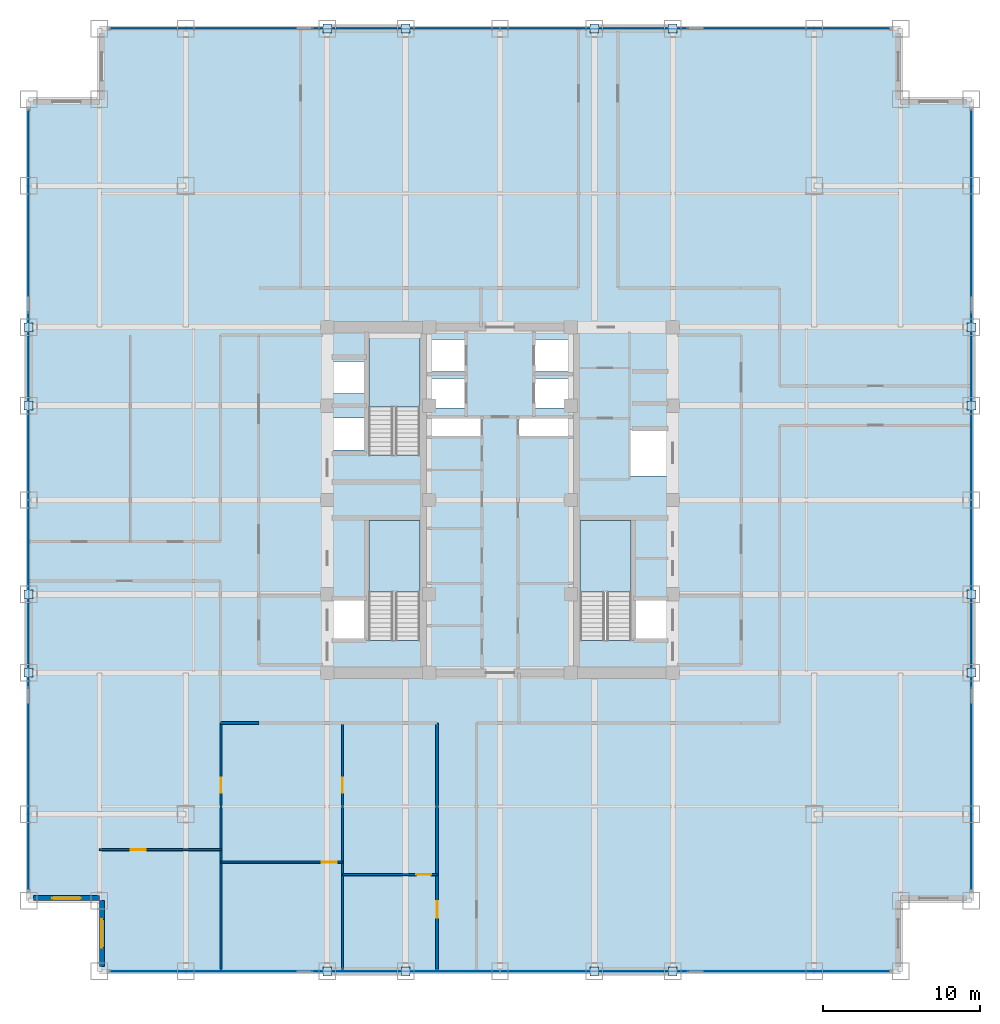
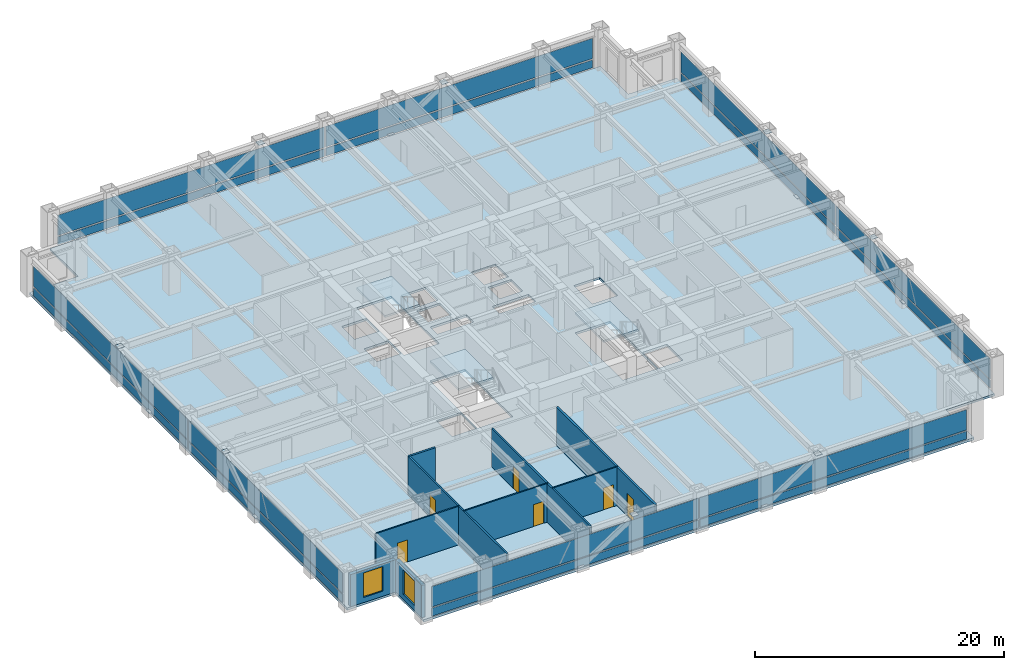
# One storey, part 19 of 24: 32 plates, 9 walls, 6 doors, 4 slabs, 2 windows, 8 openings, 7 elements without a shape of their own.
"""IFC4 building model written with IfcOpenShell, lengths in metres."""

from ifc_helpers import new_model, si_unit, direction, frame, frame_2d, origin, origin_2d, place, context, subcontext, project, spatial, polyline, rectangle, outline, extrude, source, transform, mapped, material, layer, layer_set, type_object, element, fill, aggregate, save


model = new_model("IFC4")

# Units and contexts
model_context = context("Model", 3, precision=1e-05, world=origin(), true_north=direction((0.0, 1.0)))
body_context = subcontext(model_context, "Body", "Model", "MODEL_VIEW")
ifc_project = project(units=[si_unit("LENGTHUNIT", "METRE"), si_unit("AREAUNIT", "SQUARE_METRE"), si_unit("VOLUMEUNIT", "CUBIC_METRE"), si_unit("PLANEANGLEUNIT", "RADIAN"), si_unit("MASSUNIT", "GRAM", prefix="KILO")], contexts=[model_context])

# Site, building, storey
site_placement = place(None, origin())
site = spatial("IfcSite", under=ifc_project, at=site_placement, CompositionType="ELEMENT")
building_placement = place(site_placement, origin())
building = spatial("IfcBuilding", under=site, at=building_placement, Name="Khorayat Bourse Tower", CompositionType="ELEMENT")
storey_placement = place(building_placement, frame((0.0, 0.0, 175.10009765625)))
storey = spatial("IfcBuildingStorey", under=building, at=storey_placement, Name="L40", CompositionType="ELEMENT", Elevation=175.10009765625)

# Stair, slab
ifc_material_1 = material(Name="Concrete C40/50", Category="concrete")
stair_type = type_object("IfcStairType", Name="STR-CORE-1550", PredefinedType="HALF_TURN_STAIR", material=ifc_material_1)
stair_1_placement = place(storey_placement, origin())
stair_1 = element("IfcStair", 1, at=stair_1_placement, inside=storey, type_object=stair_type, Name="L40 Exit Stair ST-1", PredefinedType="HALF_TURN_STAIR")
ifc_layer_1 = layer(ifc_material_1, 0.199951171875)
ifc_layer_set_1 = layer_set([ifc_layer_1], Name="Concrete C40/50")
slab_type_1 = type_object("IfcSlabType", Name="SLB-LANDING-200", PredefinedType="LANDING", material=ifc_layer_set_1)
slab_1_placement = place(storey_placement, frame((0.0, 0.0, 1.7998046875)))
slab_1 = element("IfcSlab", 2, at=slab_1_placement, type_object=slab_type_1, Name="ST-1 landing 1", PredefinedType="LANDING", context=body_context, shape_type="SweptSolid", body=[
    extrude(outline(polyline([(-5.10009765625, -5.8701171875), (-5.10009765625, -1.300048828125), (-8.35009765625, -1.300048828125), (-8.35009765625, -5.8701171875), (-5.10009765625, -5.8701171875)])), origin(), (0.0, 0.0, 1.0), 0.2001953125),
])
aggregate(stair_1, [slab_1])

stair_2_placement = place(storey_placement, origin())
stair_2 = element("IfcStair", 3, at=stair_2_placement, inside=storey, type_object=stair_type, Name="L40 Exit Stair ST-2", PredefinedType="HALF_TURN_STAIR")
slab_2_placement = place(storey_placement, frame((0.0, 0.0, 1.7998046875)))
slab_2 = element("IfcSlab", 4, at=slab_2_placement, type_object=slab_type_1, Name="ST-2 landing 1", PredefinedType="LANDING", context=body_context, shape_type="SweptSolid", body=[
    extrude(outline(polyline([(-5.10009765625, 5.929931640625), (-5.10009765625, 10.5), (-8.35009765625, 10.5), (-8.35009765625, 5.929931640625), (-5.10009765625, 5.929931640625)])), origin(), (0.0, 0.0, 1.0), 0.2001953125),
])
aggregate(stair_2, [slab_2])

stair_3_placement = place(storey_placement, origin())
stair_3 = element("IfcStair", 5, at=stair_3_placement, inside=storey, type_object=stair_type, Name="L40 Exit Stair ST-3", PredefinedType="HALF_TURN_STAIR")
slab_3_placement = place(storey_placement, frame((0.0, 0.0, 1.7998046875)))
slab_3 = element("IfcSlab", 6, at=slab_3_placement, type_object=slab_type_1, Name="ST-3 landing 1", PredefinedType="LANDING", context=body_context, shape_type="SweptSolid", body=[
    extrude(outline(polyline([(8.35009765625, -5.8701171875), (8.35009765625, -1.300048828125), (5.10009765625, -1.300048828125), (5.10009765625, -5.8701171875), (8.35009765625, -5.8701171875)])), origin(), (0.0, 0.0, 1.0), 0.2001953125),
])
aggregate(stair_3, [slab_3])

# Slab
ifc_layer_2 = layer(ifc_material_1, 0.219970703125)
ifc_layer_set_2 = layer_set([ifc_layer_2], Name="Concrete C40/50")
slab_type_2 = type_object("IfcSlabType", Name="SLB-OFFICE-220", PredefinedType="FLOOR", material=ifc_layer_set_2)
slab_4_placement = place(storey_placement, frame((0.0, 0.0, -0.22021484375)))
element("IfcSlab", 7, at=slab_4_placement, inside=storey, type_object=slab_type_2, Name="L40 Main Floor Slab", PredefinedType="FLOOR", context=body_context, shape_type="SweptSolid", body=[
    extrude(outline(polyline([(-25.5, -30.0), (25.5, -30.0), (25.5, -25.5), (30.0, -25.5), (30.0, 25.5), (25.5, 25.5), (25.5, 30.0), (-25.5, 30.0), (-25.5, 25.5), (-30.0, 25.5), (-30.0, -25.5), (-25.5, -25.5), (-25.5, -30.0)]), holes=[polyline([(-8.35009765625, -8.945068359375), (-5.10009765625, -8.945068359375), (-5.10009765625, -1.300048828125), (-8.35009765625, -1.300048828125), (-8.35009765625, -8.945068359375)]), polyline([(-8.35009765625, 2.85498046875), (-5.10009765625, 2.85498046875), (-5.10009765625, 10.5), (-8.35009765625, 10.5), (-8.35009765625, 2.85498046875)]), polyline([(5.10009765625, -8.945068359375), (8.35009765625, -8.945068359375), (8.35009765625, -1.300048828125), (5.10009765625, -1.300048828125), (5.10009765625, -8.945068359375)]), polyline([(-4.3798828125, 8.169921875), (-2.1201171875, 8.169921875), (-2.1201171875, 10.22998046875), (-4.3798828125, 10.22998046875), (-4.3798828125, 8.169921875)]), polyline([(2.1201171875, 8.169921875), (4.3798828125, 8.169921875), (4.3798828125, 10.22998046875), (2.1201171875, 10.22998046875), (2.1201171875, 8.169921875)]), polyline([(-4.3798828125, 5.8701171875), (-2.219970703125, 5.8701171875), (-2.219970703125, 7.72998046875), (-4.3798828125, 7.72998046875), (-4.3798828125, 5.8701171875)]), polyline([(2.219970703125, 5.8701171875), (4.3798828125, 5.8701171875), (4.3798828125, 7.72998046875), (2.219970703125, 7.72998046875), (2.219970703125, 5.8701171875)]), polyline([(-10.679931640625, 3.169921875), (-8.419921875, 3.169921875), (-8.419921875, 5.22998046875), (-10.679931640625, 5.22998046875), (-10.679931640625, 3.169921875)]), polyline([(-10.679931640625, 6.77001953125), (-8.419921875, 6.77001953125), (-8.419921875, 8.830078125), (-10.679931640625, 8.830078125), (-10.679931640625, 6.77001953125)]), polyline([(-10.679931640625, -8.929931640625), (-8.419921875, -8.929931640625), (-8.419921875, -6.3701171875), (-10.679931640625, -6.3701171875), (-10.679931640625, -8.929931640625)]), polyline([(8.419921875, -8.929931640625), (10.679931640625, -8.929931640625), (10.679931640625, -6.3701171875), (8.419921875, -6.3701171875), (8.419921875, -8.929931640625)]), polyline([(8.320068359375, 1.52001953125), (10.679931640625, 1.52001953125), (10.679931640625, 4.47998046875), (8.320068359375, 4.47998046875), (8.320068359375, 1.52001953125)]), polyline([(-4.56005859375, 4.080078125), (-1.18994140625, 4.080078125), (-1.18994140625, 5.219970703125), (-4.56005859375, 5.219970703125), (-4.56005859375, 4.080078125)]), polyline([(1.18994140625, 4.080078125), (4.56005859375, 4.080078125), (4.56005859375, 5.219970703125), (1.18994140625, 5.219970703125), (1.18994140625, 4.080078125)])]), origin(), (0.0, 0.0, 1.0), 0.22021484375),
])

# Plates
ifc_material_2 = material(Name="Steel EN 10025-2 S355J2", Category="steel")
ifc_layer_3 = layer(ifc_material_2, 0.02490234375)
ifc_layer_set_3 = layer_set([ifc_layer_3], Name="Steel EN 10025-2 S355J2")
plate_type_1 = type_object("IfcPlateType", Name="PLT-ENDCAP-25", PredefinedType="SHEET", material=ifc_layer_set_3)
shared_shape_1 = source(origin(), body_context, "Body", "SweptSolid", [
    extrude(rectangle(XDim=0.56005859375, YDim=0.56005859375, at=origin_2d()), origin(), (0.0, 0.0, 1.0), 0.02490234375),
])
for number, where, z_axis, x_axis, name in (
    (8, (-11.0, -30.0, 0.237548828125), (0.0, 0.0, 1.0), (1.0, 0.0, 0.0), "L40 Perimeter Brace End Plate 001"),
    (9, (-6.0, -30.0, 3.517333984375), (0.0, 0.0, 1.0), (1.0, 0.0, 0.0), "L40 Perimeter Brace End Plate 002"),
    (10, (6.0, -30.0, 0.237548828125), (0.0, 0.0, 1.0), (1.0, 0.0, 0.0), "L40 Perimeter Brace End Plate 003"),
    (11, (11.0, -30.0, 3.517333984375), (0.0, 0.0, 1.0), (1.0, 0.0, 0.0), "L40 Perimeter Brace End Plate 004"),
    (12, (-11.0, 30.0, 0.237548828125), (0.0, 0.0, 1.0), (1.0, 0.0, 0.0), "L40 Perimeter Brace End Plate 005"),
    (13, (-6.0, 30.0, 3.517333984375), (0.0, 0.0, 1.0), (1.0, 0.0, 0.0), "L40 Perimeter Brace End Plate 006"),
    (14, (6.0, 30.0, 0.237548828125), (0.0, 0.0, 1.0), (1.0, 0.0, 0.0), "L40 Perimeter Brace End Plate 007"),
    (15, (11.0, 30.0, 3.517333984375), (0.0, 0.0, 1.0), (1.0, 0.0, 0.0), "L40 Perimeter Brace End Plate 008"),
    (16, (-30.0, -11.0, 0.237548828125), (0.0, 0.0, 1.0), (1.0, 0.0, 0.0), "L40 Perimeter Brace End Plate 009"),
    (17, (-30.0, -6.0, 3.517333984375), (0.0, 0.0, 1.0), (1.0, 0.0, 0.0), "L40 Perimeter Brace End Plate 010"),
    (18, (-30.0, 6.0, 0.237548828125), (0.0, 0.0, 1.0), (1.0, 0.0, 0.0), "L40 Perimeter Brace End Plate 011"),
    (19, (-30.0, 11.0, 3.517333984375), (0.0, 0.0, 1.0), (1.0, 0.0, 0.0), "L40 Perimeter Brace End Plate 012"),
    (20, (30.0, -11.0, 0.237548828125), (0.0, 0.0, 1.0), (1.0, 0.0, 0.0), "L40 Perimeter Brace End Plate 013"),
    (21, (30.0, -6.0, 3.517333984375), (0.0, 0.0, 1.0), (1.0, 0.0, 0.0), "L40 Perimeter Brace End Plate 014"),
    (22, (30.0, 6.0, 0.237548828125), (0.0, 0.0, 1.0), (1.0, 0.0, 0.0), "L40 Perimeter Brace End Plate 015"),
    (23, (30.0, 11.0, 3.517333984375), (0.0, 0.0, 1.0), (1.0, 0.0, 0.0), "L40 Perimeter Brace End Plate 016"),
):
    element("IfcPlate", number, at=place(storey_placement, frame(where, z_axis=z_axis, x_axis=x_axis)), inside=storey, type_object=plate_type_1, Name=name, PredefinedType="SHEET", context=body_context, shape_type="MappedRepresentation", body=[
        mapped(shared_shape_1, transform((0.0, 0.0, 0.0), scale=1.0)),
    ])

# Curtain wall, plates
ifc_material_3 = material(Name="Aluminium EN AW-6063 T6", Category="aluminium")
curtain_wall_type = type_object("IfcCurtainWallType", Name="CW-SYS-03", PredefinedType="NOTDEFINED", material=ifc_material_3)
curtain_wall_1_placement = place(storey_placement, origin())
curtain_wall_1 = element("IfcCurtainWall", 24, at=curtain_wall_1_placement, inside=storey, type_object=curtain_wall_type, Name="L40 Curtain Wall CW-L40-S1", PredefinedType="NOTDEFINED")
ifc_material_4 = material(Name="Honed desert limestone insulated spandrel", Category="masonry")
ifc_layer_4 = layer(ifc_material_4, 0.06494140625)
ifc_layer_set_4 = layer_set([ifc_layer_4], Name="Honed desert limestone insulated spandrel")
plate_type_2 = type_object("IfcPlateType", Name="CWP-SPAND-03", PredefinedType="CURTAIN_PANEL", material=ifc_layer_set_4)
shared_shape_2 = source(origin(), body_context, "Body", "SweptSolid", [
    extrude(rectangle(XDim=24.719970703125, YDim=0.06494140625, at=origin_2d()), origin(), (0.0, 0.0, 1.0), 0.77001953125),
])
plate_1_placement = place(storey_placement, frame((-12.419921875, -30.0, 0.119873046875), z_axis=(0.0, 0.0, 1.0), x_axis=(1.0, 0.0, 0.0)))
plate_1 = element("IfcPlate", 25, at=plate_1_placement, type_object=plate_type_2, Name="CW-L40-S1 Spandrel Panel 1-1", PredefinedType="CURTAIN_PANEL", context=body_context, shape_type="MappedRepresentation", body=[
    mapped(shared_shape_2, transform((0.0, 0.0, 0.0), scale=1.0)),
])
plate_2_placement = place(storey_placement, frame((12.419921875, -30.0, 0.119873046875), z_axis=(0.0, 0.0, 1.0), x_axis=(1.0, 0.0, 0.0)))
plate_2 = element("IfcPlate", 26, at=plate_2_placement, type_object=plate_type_2, Name="CW-L40-S1 Spandrel Panel 2-1", PredefinedType="CURTAIN_PANEL", context=body_context, shape_type="MappedRepresentation", body=[
    mapped(shared_shape_2, transform((0.0, 0.0, 0.0), scale=1.0)),
])

curtain_wall_2_placement = place(storey_placement, origin())
curtain_wall_2 = element("IfcCurtainWall", 27, at=curtain_wall_2_placement, inside=storey, type_object=curtain_wall_type, Name="L40 Curtain Wall CW-L40-N1", PredefinedType="NOTDEFINED")
plate_3_placement = place(storey_placement, frame((-12.419921875, 30.0, 0.119873046875), z_axis=(0.0, 0.0, 1.0), x_axis=(1.0, 0.0, 0.0)))
plate_3 = element("IfcPlate", 28, at=plate_3_placement, type_object=plate_type_2, Name="CW-L40-N1 Spandrel Panel 1-1", PredefinedType="CURTAIN_PANEL", context=body_context, shape_type="MappedRepresentation", body=[
    mapped(shared_shape_2, transform((0.0, 0.0, 0.0), scale=1.0)),
])
plate_4_placement = place(storey_placement, frame((12.419921875, 30.0, 0.119873046875), z_axis=(0.0, 0.0, 1.0), x_axis=(1.0, 0.0, 0.0)))
plate_4 = element("IfcPlate", 29, at=plate_4_placement, type_object=plate_type_2, Name="CW-L40-N1 Spandrel Panel 2-1", PredefinedType="CURTAIN_PANEL", context=body_context, shape_type="MappedRepresentation", body=[
    mapped(shared_shape_2, transform((0.0, 0.0, 0.0), scale=1.0)),
])

curtain_wall_3_placement = place(storey_placement, origin())
curtain_wall_3 = element("IfcCurtainWall", 30, at=curtain_wall_3_placement, inside=storey, type_object=curtain_wall_type, Name="L40 Curtain Wall CW-L40-W1", PredefinedType="NOTDEFINED")
plate_5_placement = place(storey_placement, frame((-30.0, -12.419921875, 0.119873046875), z_axis=(0.0, 0.0, 1.0), x_axis=(0.0, 1.0, 0.0)))
plate_5 = element("IfcPlate", 31, at=plate_5_placement, type_object=plate_type_2, Name="CW-L40-W1 Spandrel Panel 1-1", PredefinedType="CURTAIN_PANEL", context=body_context, shape_type="MappedRepresentation", body=[
    mapped(shared_shape_2, transform((0.0, 0.0, 0.0), scale=1.0)),
])
plate_6_placement = place(storey_placement, frame((-30.0, 12.419921875, 0.119873046875), z_axis=(0.0, 0.0, 1.0), x_axis=(0.0, 1.0, 0.0)))
plate_6 = element("IfcPlate", 32, at=plate_6_placement, type_object=plate_type_2, Name="CW-L40-W1 Spandrel Panel 2-1", PredefinedType="CURTAIN_PANEL", context=body_context, shape_type="MappedRepresentation", body=[
    mapped(shared_shape_2, transform((0.0, 0.0, 0.0), scale=1.0)),
])

curtain_wall_4_placement = place(storey_placement, origin())
curtain_wall_4 = element("IfcCurtainWall", 33, at=curtain_wall_4_placement, inside=storey, type_object=curtain_wall_type, Name="L40 Curtain Wall CW-L40-E1", PredefinedType="NOTDEFINED")
plate_7_placement = place(storey_placement, frame((30.0, -12.419921875, 0.119873046875), z_axis=(0.0, 0.0, 1.0), x_axis=(0.0, 1.0, 0.0)))
plate_7 = element("IfcPlate", 34, at=plate_7_placement, type_object=plate_type_2, Name="CW-L40-E1 Spandrel Panel 1-1", PredefinedType="CURTAIN_PANEL", context=body_context, shape_type="MappedRepresentation", body=[
    mapped(shared_shape_2, transform((0.0, 0.0, 0.0), scale=1.0)),
])
plate_8_placement = place(storey_placement, frame((30.0, 12.419921875, 0.119873046875), z_axis=(0.0, 0.0, 1.0), x_axis=(0.0, 1.0, 0.0)))
plate_8 = element("IfcPlate", 35, at=plate_8_placement, type_object=plate_type_2, Name="CW-L40-E1 Spandrel Panel 2-1", PredefinedType="CURTAIN_PANEL", context=body_context, shape_type="MappedRepresentation", body=[
    mapped(shared_shape_2, transform((0.0, 0.0, 0.0), scale=1.0)),
])

# Plate
ifc_material_5 = material(Name="Low-E solar-control laminated double glazing", Category="glass")
ifc_layer_5 = layer(ifc_material_5, 0.035888671875)
ifc_layer_set_5 = layer_set([ifc_layer_5], Name="Low-E solar-control laminated double glazing")
plate_type_3 = type_object("IfcPlateType", Name="CWP-VIS-01", PredefinedType="CURTAIN_PANEL", material=ifc_layer_set_5)
shared_shape_3 = source(origin(), body_context, "Body", "SweptSolid", [
    extrude(rectangle(XDim=24.719970703125, YDim=0.035888671875, at=origin_2d()), origin(), (0.0, 0.0, 1.0), 2.0),
])
plate_9_placement = place(storey_placement, frame((-12.419921875, -30.0, 1.010009765625), z_axis=(0.0, 0.0, 1.0), x_axis=(1.0, 0.0, 0.0)))
plate_9 = element("IfcPlate", 36, at=plate_9_placement, type_object=plate_type_3, Name="CW-L40-S1 Vision Panel 1-2", PredefinedType="CURTAIN_PANEL", context=body_context, shape_type="MappedRepresentation", body=[
    mapped(shared_shape_3, transform((0.0, 0.0, 0.0), scale=1.0)),
])

plate_10_placement = place(storey_placement, frame((12.419921875, -30.0, 1.010009765625), z_axis=(0.0, 0.0, 1.0), x_axis=(1.0, 0.0, 0.0)))
plate_10 = element("IfcPlate", 37, at=plate_10_placement, type_object=plate_type_3, Name="CW-L40-S1 Vision Panel 2-2", PredefinedType="CURTAIN_PANEL", context=body_context, shape_type="MappedRepresentation", body=[
    mapped(shared_shape_3, transform((0.0, 0.0, 0.0), scale=1.0)),
])

aggregate(curtain_wall_1, [plate_1, plate_9, plate_2, plate_10])

plate_11_placement = place(storey_placement, frame((-12.419921875, 30.0, 1.010009765625), z_axis=(0.0, 0.0, 1.0), x_axis=(1.0, 0.0, 0.0)))
plate_11 = element("IfcPlate", 38, at=plate_11_placement, type_object=plate_type_3, Name="CW-L40-N1 Vision Panel 1-2", PredefinedType="CURTAIN_PANEL", context=body_context, shape_type="MappedRepresentation", body=[
    mapped(shared_shape_3, transform((0.0, 0.0, 0.0), scale=1.0)),
])

plate_12_placement = place(storey_placement, frame((12.419921875, 30.0, 1.010009765625), z_axis=(0.0, 0.0, 1.0), x_axis=(1.0, 0.0, 0.0)))
plate_12 = element("IfcPlate", 39, at=plate_12_placement, type_object=plate_type_3, Name="CW-L40-N1 Vision Panel 2-2", PredefinedType="CURTAIN_PANEL", context=body_context, shape_type="MappedRepresentation", body=[
    mapped(shared_shape_3, transform((0.0, 0.0, 0.0), scale=1.0)),
])

aggregate(curtain_wall_2, [plate_3, plate_11, plate_4, plate_12])

plate_13_placement = place(storey_placement, frame((-30.0, -12.419921875, 1.010009765625), z_axis=(0.0, 0.0, 1.0), x_axis=(0.0, 1.0, 0.0)))
plate_13 = element("IfcPlate", 40, at=plate_13_placement, type_object=plate_type_3, Name="CW-L40-W1 Vision Panel 1-2", PredefinedType="CURTAIN_PANEL", context=body_context, shape_type="MappedRepresentation", body=[
    mapped(shared_shape_3, transform((0.0, 0.0, 0.0), scale=1.0)),
])

plate_14_placement = place(storey_placement, frame((-30.0, 12.419921875, 1.010009765625), z_axis=(0.0, 0.0, 1.0), x_axis=(0.0, 1.0, 0.0)))
plate_14 = element("IfcPlate", 41, at=plate_14_placement, type_object=plate_type_3, Name="CW-L40-W1 Vision Panel 2-2", PredefinedType="CURTAIN_PANEL", context=body_context, shape_type="MappedRepresentation", body=[
    mapped(shared_shape_3, transform((0.0, 0.0, 0.0), scale=1.0)),
])

aggregate(curtain_wall_3, [plate_5, plate_13, plate_6, plate_14])

plate_15_placement = place(storey_placement, frame((30.0, -12.419921875, 1.010009765625), z_axis=(0.0, 0.0, 1.0), x_axis=(0.0, 1.0, 0.0)))
plate_15 = element("IfcPlate", 42, at=plate_15_placement, type_object=plate_type_3, Name="CW-L40-E1 Vision Panel 1-2", PredefinedType="CURTAIN_PANEL", context=body_context, shape_type="MappedRepresentation", body=[
    mapped(shared_shape_3, transform((0.0, 0.0, 0.0), scale=1.0)),
])

plate_16_placement = place(storey_placement, frame((30.0, 12.419921875, 1.010009765625), z_axis=(0.0, 0.0, 1.0), x_axis=(0.0, 1.0, 0.0)))
plate_16 = element("IfcPlate", 43, at=plate_16_placement, type_object=plate_type_3, Name="CW-L40-E1 Vision Panel 2-2", PredefinedType="CURTAIN_PANEL", context=body_context, shape_type="MappedRepresentation", body=[
    mapped(shared_shape_3, transform((0.0, 0.0, 0.0), scale=1.0)),
])

aggregate(curtain_wall_4, [plate_7, plate_15, plate_8, plate_16])

# Wall, opening, window
ifc_material_6 = material(Name="Precast concrete C45/55", Category="concrete")
ifc_layer_6 = layer(ifc_material_6, 0.320068359375)
ifc_layer_set_6 = layer_set([ifc_layer_6], Name="Precast concrete C45/55")
wall_type_1 = type_object("IfcWallType", Name="WAL-EXT-STONE-320", PredefinedType="STANDARD", material=ifc_layer_set_6)
shared_shape_4 = source(origin(), body_context, "Body", "SweptSolid", [
    extrude(rectangle(XDim=4.179931640625, YDim=0.320068359375, at=frame_2d((2.08984375, 0.0))), origin(), (0.0, 0.0, 1.0), 3.163818359375),
])
wall_1_placement = place(storey_placement, frame((-25.5, -25.340087890625, 0.0), z_axis=(0.0, 0.0, 1.0), x_axis=(-1.0, 0.0, 0.0)))
wall_1 = element("IfcWall", 44, at=wall_1_placement, inside=storey, type_object=wall_type_1, Name="L40 Re-Entrant Notch Limestone Wall SW-H", PredefinedType="STANDARD", context=body_context, shape_type="MappedRepresentation", body=[
    mapped(shared_shape_4, transform((0.0, 0.0, 0.0), scale=1.0)),
])
shared_shape_5 = source(origin(), body_context, "Body", "SweptSolid", [
    extrude(rectangle(XDim=1.800048828125, YDim=2.39990234375, at=frame_2d((0.89990234375, 1.199951171875))), frame((0.0, 0.169921875, 0.0), z_axis=(0.0, -1.0, 0.0), x_axis=(1.0, 0.0, 0.0)), (0.0, 0.0, 1.0), 0.340087890625),
])
opening_1_placement = place(wall_1_placement, frame((1.18994140625, 0.0, 0.5)))
opening_1 = element("IfcOpeningElement", 45, at=opening_1_placement, cuts=wall_1, Name="Opening WN-04", PredefinedType="OPENING", context=body_context, shape_type="MappedRepresentation", body=[
    mapped(shared_shape_5, transform((0.0, 0.0, 0.0), scale=1.0)),
])
ifc_material_7 = material(Name="Low-E acoustic laminated double glazing", Category="glass")
window_type = type_object("IfcWindowType", Name="WIN-NOTCH-1800x2400", PartitioningType="SINGLE_PANEL", PredefinedType="WINDOW", material=ifc_material_7)
shared_shape_6 = source(origin(), body_context, "Body", "SweptSolid", [
    extrude(rectangle(XDim=1.800048828125, YDim=2.39990234375, at=frame_2d((0.89990234375, 1.199951171875))), frame((0.0, 0.030029296875, 0.0), z_axis=(0.0, -1.0, 0.0), x_axis=(1.0, 0.0, 0.0)), (0.0, 0.0, 1.0), 0.06005859375),
])
window_1_placement = place(opening_1_placement, origin())
window_1 = element("IfcWindow", 46, at=window_1_placement, inside=storey, type_object=window_type, Name="L40 Facade Window 1", OverallHeight=2.39990234375, OverallWidth=1.800048828125, PartitioningType="SINGLE_PANEL", PredefinedType="WINDOW", context=body_context, shape_type="MappedRepresentation", body=[
    mapped(shared_shape_6, transform((0.0, 0.0, 0.0), scale=1.0)),
])
fill(opening_1, window_1)

wall_2_placement = place(storey_placement, frame((-25.340087890625, -29.679931640625, 0.0), z_axis=(0.0, 0.0, 1.0), x_axis=(0.0, 1.0, 0.0)))
wall_2 = element("IfcWall", 47, at=wall_2_placement, inside=storey, type_object=wall_type_1, Name="L40 Re-Entrant Notch Limestone Wall SW-V", PredefinedType="STANDARD", context=body_context, shape_type="MappedRepresentation", body=[
    mapped(shared_shape_4, transform((0.0, 0.0, 0.0), scale=1.0)),
])
opening_2_placement = place(wall_2_placement, frame((1.18994140625, 0.0, 0.5)))
opening_2 = element("IfcOpeningElement", 48, at=opening_2_placement, cuts=wall_2, Name="Opening WN-04", PredefinedType="OPENING", context=body_context, shape_type="MappedRepresentation", body=[
    mapped(shared_shape_5, transform((0.0, 0.0, 0.0), scale=1.0)),
])
window_2_placement = place(opening_2_placement, origin())
window_2 = element("IfcWindow", 49, at=window_2_placement, inside=storey, type_object=window_type, Name="L40 Facade Window 1", OverallHeight=2.39990234375, OverallWidth=1.800048828125, PartitioningType="SINGLE_PANEL", PredefinedType="WINDOW", context=body_context, shape_type="MappedRepresentation", body=[
    mapped(shared_shape_6, transform((0.0, 0.0, 0.0), scale=1.0)),
])
fill(opening_2, window_2)

# Wall
ifc_material_8 = material(Name="Gypsum plasterboard acoustic stud wall")
ifc_layer_7 = layer(ifc_material_8, 0.179931640625)
ifc_layer_set_7 = layer_set([ifc_layer_7], Name="Gypsum plasterboard acoustic stud wall")
wall_type_2 = type_object("IfcWallType", Name="WAL-PART-CORR-180", PredefinedType="PARTITIONING", material=ifc_layer_set_7)
shared_shape_7 = source(origin(), body_context, "Body", "SweptSolid", [
    extrude(rectangle(XDim=2.449951171875, YDim=0.179931640625, at=frame_2d((1.22509765625, 0.0))), origin(), (0.0, 0.0, 1.0), 3.77978515625),
])
wall_3_placement = place(storey_placement, frame((-17.800048828125, -14.199951171875, 0.0), z_axis=(0.0, 0.0, 1.0), x_axis=(1.0, 0.0, 0.0)))
element("IfcWall", 50, at=wall_3_placement, inside=storey, type_object=wall_type_2, Name="L40 Partition WAL-L40-C2-WS", PredefinedType="PARTITIONING", context=body_context, shape_type="MappedRepresentation", body=[
    mapped(shared_shape_7, transform((0.0, 0.0, 0.0), scale=1.0)),
])

# Wall, opening, door
ifc_material_9 = material(Name="Gypsum plasterboard twin-frame partition")
ifc_layer_8 = layer(ifc_material_9, 0.14990234375)
ifc_layer_set_8 = layer_set([ifc_layer_8], Name="Gypsum plasterboard twin-frame partition")
wall_type_3 = type_object("IfcWallType", Name="WAL-PART-SUITE-150", PredefinedType="PARTITIONING", material=ifc_layer_set_8)
shared_shape_8 = source(origin(), body_context, "Body", "SweptSolid", [
    extrude(rectangle(XDim=15.800048828125, YDim=0.14990234375, at=frame_2d((7.89990234375, 0.0))), origin(), (0.0, 0.0, 1.0), 3.77978515625),
])
wall_4_placement = place(storey_placement, frame((-17.760009765625, -30.0, 0.0), z_axis=(0.0, 0.0, 1.0), x_axis=(0.0, 1.0, 0.0)))
wall_4 = element("IfcWall", 51, at=wall_4_placement, inside=storey, type_object=wall_type_3, Name="L40 Partition WAL-L40-QSWDV-1", PredefinedType="PARTITIONING", context=body_context, shape_type="MappedRepresentation", body=[
    mapped(shared_shape_8, transform((0.0, 0.0, 0.0), scale=1.0)),
])
shared_shape_9 = source(origin(), body_context, "Body", "SweptSolid", [
    extrude(rectangle(XDim=0.949951171875, YDim=2.14990234375, at=frame_2d((0.47509765625, 1.074951171875))), frame((0.0, 0.0849609375, 0.0), z_axis=(0.0, -1.0, 0.0), x_axis=(1.0, 0.0, 0.0)), (0.0, 0.0, 1.0), 0.169921875),
])
opening_3_placement = place(wall_4_placement, frame((11.375, 0.0, 0.0)))
opening_3 = element("IfcOpeningElement", 52, at=opening_3_placement, cuts=wall_4, Name="Opening DI-05", PredefinedType="OPENING", context=body_context, shape_type="MappedRepresentation", body=[
    mapped(shared_shape_9, transform((0.0, 0.0, 0.0), scale=1.0)),
])
ifc_material_10 = material(Name="Acoustic oak veneer office door")
door_type_1 = type_object("IfcDoorType", Name="DR-INT-OFFICE-950", OperationType="NOTDEFINED", PredefinedType="DOOR", material=ifc_material_10)
shared_shape_10 = source(origin(), body_context, "Body", "SweptSolid", [
    extrude(rectangle(XDim=0.949951171875, YDim=2.14990234375, at=frame_2d((0.47509765625, 1.074951171875))), frame((0.0, 0.02490234375, 0.0), z_axis=(0.0, -1.0, 0.0), x_axis=(1.0, 0.0, 0.0)), (0.0, 0.0, 1.0), 0.050048828125),
])
door_1_placement = place(opening_3_placement, origin())
door_1 = element("IfcDoor", 53, at=door_1_placement, inside=storey, type_object=door_type_1, Name="L40 South-West Suite Link 1", OperationType="SINGLE_SWING_RIGHT", OverallHeight=2.14990234375, OverallWidth=0.949951171875, PredefinedType="DOOR", context=body_context, shape_type="MappedRepresentation", body=[
    mapped(shared_shape_10, transform((0.0, 0.0, 0.0), scale=1.0)),
])
fill(opening_3, door_1)

wall_5_placement = place(storey_placement, frame((-10.02001953125, -30.0, 0.0), z_axis=(0.0, 0.0, 1.0), x_axis=(0.0, 1.0, 0.0)))
wall_5 = element("IfcWall", 54, at=wall_5_placement, inside=storey, type_object=wall_type_3, Name="L40 Partition WAL-L40-QSWDV-2", PredefinedType="PARTITIONING", context=body_context, shape_type="MappedRepresentation", body=[
    mapped(shared_shape_8, transform((0.0, 0.0, 0.0), scale=1.0)),
])
opening_4_placement = place(wall_5_placement, frame((11.375, 0.0, 0.0)))
opening_4 = element("IfcOpeningElement", 55, at=opening_4_placement, cuts=wall_5, Name="Opening DI-05", PredefinedType="OPENING", context=body_context, shape_type="MappedRepresentation", body=[
    mapped(shared_shape_9, transform((0.0, 0.0, 0.0), scale=1.0)),
])
door_2_placement = place(opening_4_placement, origin())
door_2 = element("IfcDoor", 56, at=door_2_placement, inside=storey, type_object=door_type_1, Name="L40 South-West Suite Link 2", OperationType="SINGLE_SWING_LEFT", OverallHeight=2.14990234375, OverallWidth=0.949951171875, PredefinedType="DOOR", context=body_context, shape_type="MappedRepresentation", body=[
    mapped(shared_shape_10, transform((0.0, 0.0, 0.0), scale=1.0)),
])
fill(opening_4, door_2)

shared_shape_11 = source(origin(), body_context, "Body", "SweptSolid", [
    extrude(rectangle(XDim=15.800048828125, YDim=0.179931640625, at=frame_2d((7.89990234375, 0.0))), origin(), (0.0, 0.0, 1.0), 3.77978515625),
])
wall_6_placement = place(storey_placement, frame((-4.0, -30.0, 0.0), z_axis=(0.0, 0.0, 1.0), x_axis=(0.0, 1.0, 0.0)))
wall_6 = element("IfcWall", 57, at=wall_6_placement, inside=storey, type_object=wall_type_2, Name="L40 Partition WAL-L40-QSW-SPK", PredefinedType="PARTITIONING", context=body_context, shape_type="MappedRepresentation", body=[
    mapped(shared_shape_11, transform((0.0, 0.0, 0.0), scale=1.0)),
])
shared_shape_12 = source(origin(), body_context, "Body", "SweptSolid", [
    extrude(rectangle(XDim=1.050048828125, YDim=2.199951171875, at=frame_2d((0.52490234375, 1.10009765625))), frame((0.0, 0.099853515625, 0.0), z_axis=(0.0, -1.0, 0.0), x_axis=(1.0, 0.0, 0.0)), (0.0, 0.0, 1.0), 0.199951171875),
])
opening_5_placement = place(wall_6_placement, frame((3.425048828125, 0.0, 0.0)))
opening_5 = element("IfcOpeningElement", 58, at=opening_5_placement, cuts=wall_6, Name="Opening DI-04", PredefinedType="OPENING", context=body_context, shape_type="MappedRepresentation", body=[
    mapped(shared_shape_12, transform((0.0, 0.0, 0.0), scale=1.0)),
])
ifc_material_11 = material(Name="Fire-rated oak veneer suite entrance door")
door_type_2 = type_object("IfcDoorType", Name="DR-INT-SUITE-1050", OperationType="NOTDEFINED", PredefinedType="DOOR", material=ifc_material_11)
shared_shape_13 = source(origin(), body_context, "Body", "SweptSolid", [
    extrude(rectangle(XDim=1.050048828125, YDim=2.199951171875, at=frame_2d((0.52490234375, 1.10009765625))), frame((0.0, 0.02490234375, 0.0), z_axis=(0.0, -1.0, 0.0), x_axis=(1.0, 0.0, 0.0)), (0.0, 0.0, 1.0), 0.050048828125),
])
door_3_placement = place(opening_5_placement, origin())
door_3 = element("IfcDoor", 59, at=door_3_placement, inside=storey, type_object=door_type_2, Name="L40 South-West Radial Spoke Entry", OperationType="SINGLE_SWING_LEFT", OverallHeight=2.199951171875, OverallWidth=1.050048828125, PredefinedType="DOOR", context=body_context, shape_type="MappedRepresentation", body=[
    mapped(shared_shape_13, transform((0.0, 0.0, 0.0), scale=1.0)),
])
fill(opening_5, door_3)

ifc_material_12 = material(Name="Gypsum plasterboard partition")
ifc_layer_9 = layer(ifc_material_12, 0.125)
ifc_layer_set_9 = layer_set([ifc_layer_9], Name="Gypsum plasterboard partition")
wall_type_4 = type_object("IfcWallType", Name="WAL-PART-ROOM-125", PredefinedType="PARTITIONING", material=ifc_layer_set_9)
shared_shape_14 = source(origin(), body_context, "Body", "SweptSolid", [
    extrude(rectangle(XDim=7.739990234375, YDim=0.125, at=frame_2d((3.8701171875, 0.0))), origin(), (0.0, 0.0, 1.0), 3.77978515625),
])
wall_7_placement = place(storey_placement, frame((-25.5, -22.258056640625, 0.0), z_axis=(0.0, 0.0, 1.0), x_axis=(1.0, 0.0, 0.0)))
wall_7 = element("IfcWall", 60, at=wall_7_placement, inside=storey, type_object=wall_type_4, Name="L40 Partition WAL-L40-QSWDP-1", PredefinedType="PARTITIONING", context=body_context, shape_type="MappedRepresentation", body=[
    mapped(shared_shape_14, transform((0.0, 0.0, 0.0), scale=1.0)),
])
shared_shape_15 = source(origin(), body_context, "Body", "SweptSolid", [
    extrude(rectangle(XDim=0.949951171875, YDim=2.14990234375, at=frame_2d((0.47509765625, 1.074951171875))), frame((0.0, 0.072509765625, 0.0), z_axis=(0.0, -1.0, 0.0), x_axis=(1.0, 0.0, 0.0)), (0.0, 0.0, 1.0), 0.14501953125),
])
opening_6_placement = place(wall_7_placement, frame((2.001708984375, 0.0, 0.0)))
opening_6 = element("IfcOpeningElement", 61, at=opening_6_placement, cuts=wall_7, Name="Opening DI-05", PredefinedType="OPENING", context=body_context, shape_type="MappedRepresentation", body=[
    mapped(shared_shape_15, transform((0.0, 0.0, 0.0), scale=1.0)),
])
door_4_placement = place(opening_6_placement, origin())
door_4 = element("IfcDoor", 62, at=door_4_placement, inside=storey, type_object=door_type_1, Name="L40 South-West Market Committee Conference Room 1B Door", OperationType="SINGLE_SWING_RIGHT", OverallHeight=2.14990234375, OverallWidth=0.949951171875, PredefinedType="DOOR", context=body_context, shape_type="MappedRepresentation", body=[
    mapped(shared_shape_10, transform((0.0, 0.0, 0.0), scale=1.0)),
])
fill(opening_6, door_4)

wall_8_placement = place(storey_placement, frame((-17.760009765625, -23.048095703125, 0.0), z_axis=(0.0, 0.0, 1.0), x_axis=(1.0, 0.0, 0.0)))
wall_8 = element("IfcWall", 63, at=wall_8_placement, inside=storey, type_object=wall_type_4, Name="L40 Partition WAL-L40-QSWDP-2", PredefinedType="PARTITIONING", context=body_context, shape_type="MappedRepresentation", body=[
    mapped(shared_shape_14, transform((0.0, 0.0, 0.0), scale=1.0)),
])
opening_7_placement = place(wall_8_placement, frame((6.4150390625, 0.0, 0.0)))
opening_7 = element("IfcOpeningElement", 64, at=opening_7_placement, cuts=wall_8, Name="Opening DI-05", PredefinedType="OPENING", context=body_context, shape_type="MappedRepresentation", body=[
    mapped(shared_shape_15, transform((0.0, 0.0, 0.0), scale=1.0)),
])
door_5_placement = place(opening_7_placement, origin())
door_5 = element("IfcDoor", 65, at=door_5_placement, inside=storey, type_object=door_type_1, Name="L40 South-West Brokerage Seminar Room 2B Door", OperationType="SINGLE_SWING_LEFT", OverallHeight=2.14990234375, OverallWidth=0.949951171875, PredefinedType="DOOR", context=body_context, shape_type="MappedRepresentation", body=[
    mapped(shared_shape_10, transform((0.0, 0.0, 0.0), scale=1.0)),
])
fill(opening_7, door_5)

shared_shape_16 = source(origin(), body_context, "Body", "SweptSolid", [
    extrude(rectangle(XDim=6.02001953125, YDim=0.125, at=frame_2d((3.010009765625, 0.0))), origin(), (0.0, 0.0, 1.0), 3.77978515625),
])
wall_9_placement = place(storey_placement, frame((-10.02001953125, -23.837890625, 0.0), z_axis=(0.0, 0.0, 1.0), x_axis=(1.0, 0.0, 0.0)))
wall_9 = element("IfcWall", 66, at=wall_9_placement, inside=storey, type_object=wall_type_4, Name="L40 Partition WAL-L40-QSWDP-3", PredefinedType="PARTITIONING", context=body_context, shape_type="MappedRepresentation", body=[
    mapped(shared_shape_16, transform((0.0, 0.0, 0.0), scale=1.0)),
])
opening_8_placement = place(wall_9_placement, frame((4.695068359375, 0.0, 0.0)))
opening_8 = element("IfcOpeningElement", 67, at=opening_8_placement, cuts=wall_9, Name="Opening DI-05", PredefinedType="OPENING", context=body_context, shape_type="MappedRepresentation", body=[
    mapped(shared_shape_15, transform((0.0, 0.0, 0.0), scale=1.0)),
])
door_6_placement = place(opening_8_placement, origin())
door_6 = element("IfcDoor", 68, at=door_6_placement, inside=storey, type_object=door_type_1, Name="L40 South-West Members Exchange Lounge 3B Door", OperationType="SINGLE_SWING_RIGHT", OverallHeight=2.14990234375, OverallWidth=0.949951171875, PredefinedType="DOOR", context=body_context, shape_type="MappedRepresentation", body=[
    mapped(shared_shape_10, transform((0.0, 0.0, 0.0), scale=1.0)),
])
fill(opening_8, door_6)

save(model, "model.ifc")
